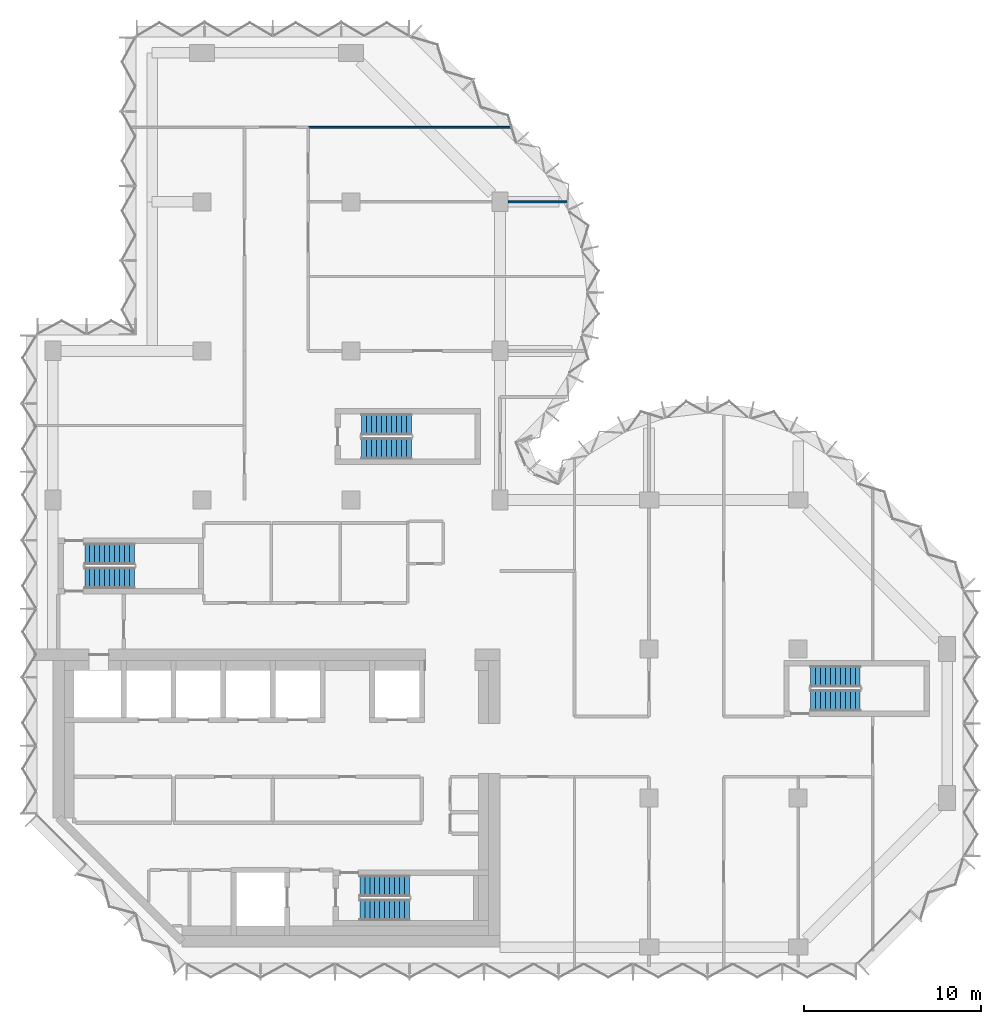
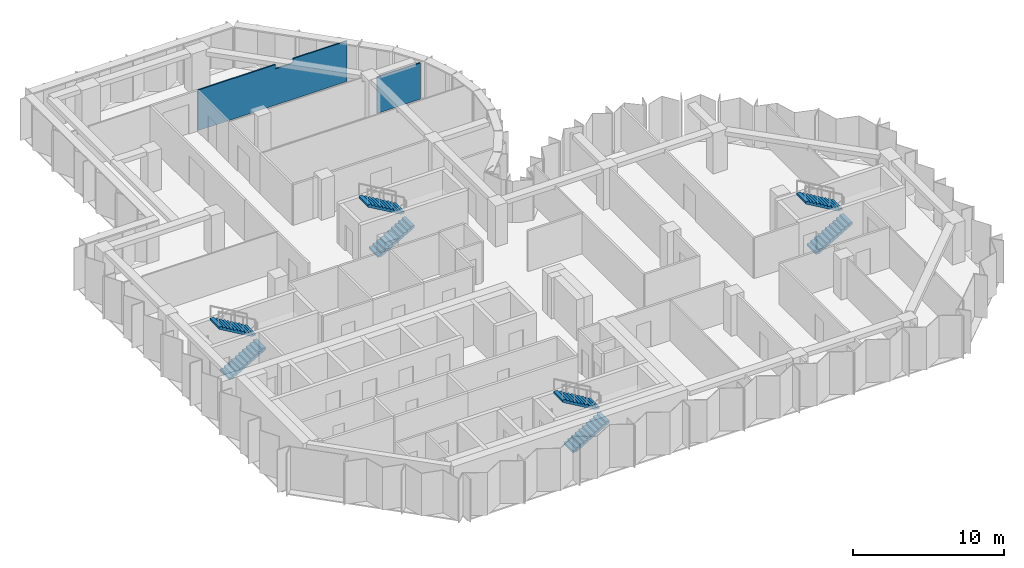
# One storey, part 8 of 10: 8 stair flights, 2 walls, 4 elements without a shape of their own.
"""IFC4 building model written with IfcOpenShell, lengths in metres."""

import ifcopenshell
import ifcopenshell.guid

model = None  # the IFC model being written
_history = None  # IfcOwnerHistory: only IFC2X3 demands one
_inside = {}  # id of a spatial element -> (the spatial element, [elements in it])
_under = {}  # id of a project, library or spatial element -> (it, [spatial elements below it])
_declared = {}  # id of a project -> (the project, [libraries it declares])
_typed = {}  # id of a type object -> (the type object, [elements of that type])
_made_of = {}  # id of a material, layer set ... -> (it, [elements and type objects made of it])


def new_model(schema):
    """Start an empty IFC model of exactly this schema.

    Asked for "IFC4X3", IfcOpenShell would pick the latest addendum, in which some entities
    have other attributes; the version numbers below select the first issue.
    IFC2X3 requires an IfcOwnerHistory on every rooted entity: one is made here for all.
    """
    global model, _history
    if schema == "IFC4X3":
        model = ifcopenshell.file(schema_version=(4, 3, 0, 0))
    else:
        model = ifcopenshell.file(schema=schema)
    _inside.clear()
    _under.clear()
    _declared.clear()
    _typed.clear()
    _made_of.clear()
    _history = None
    if model.schema == "IFC2X3":
        org = make("IfcOrganization", Name="unknown")
        user = make(
            "IfcPersonAndOrganization",
            ThePerson=make("IfcPerson", FamilyName="unknown"),
            TheOrganization=org,
        )
        app = make(
            "IfcApplication",
            ApplicationDeveloper=org,
            Version="unknown",
            ApplicationFullName="unknown",
            ApplicationIdentifier="unknown",
        )
        _history = make(
            "IfcOwnerHistory",
            OwningUser=user,
            OwningApplication=app,
            ChangeAction="ADDED",
            CreationDate=0,
        )
    return model


def make(cls, **values):
    """One entity of the class cls with the attributes given. An attribute that is None is left unset."""
    return model.create_entity(
        cls, **{name: value for name, value in values.items() if value is not None}
    )


def rooted(cls, **values):
    """An entity with a GlobalId (a new one), such as an element, a storey or a relation."""
    return make(cls, GlobalId=ifcopenshell.guid.new(), OwnerHistory=_history, **values)


def si_unit(unit_type, name, prefix=None):
    """IfcSIUnit, for example si_unit("LENGTHUNIT", "METRE", prefix="MILLI")."""
    return make("IfcSIUnit", UnitType=unit_type, Prefix=prefix, Name=name)


def assignment(units):
    """IfcUnitAssignment: the units of a project."""
    return None if units is None else make("IfcUnitAssignment", Units=units)


def point(xyz):
    """IfcCartesianPoint."""
    return None if xyz is None else make("IfcCartesianPoint", Coordinates=xyz)


def direction(xyz):
    """IfcDirection."""
    return None if xyz is None else make("IfcDirection", DirectionRatios=xyz)


def frame(location, z_axis=None, x_axis=None):
    """IfcAxis2Placement3D, a coordinate frame: its origin and axes. An axis left out is left unset."""
    return make(
        "IfcAxis2Placement3D",
        Location=point(location),
        Axis=direction(z_axis),
        RefDirection=direction(x_axis),
    )


def frame_2d(location, x_axis=None):
    """IfcAxis2Placement2D, a coordinate frame in the plane: its origin and x axis."""
    return make(
        "IfcAxis2Placement2D", Location=point(location), RefDirection=direction(x_axis)
    )


def origin():
    """The frame at (0, 0, 0) with its axes left unset."""
    return frame((0.0, 0.0, 0.0))


def place(relative_to, where):
    """IfcLocalPlacement: puts the frame where relative to a parent placement (None: the world)."""
    return make(
        "IfcLocalPlacement", PlacementRelTo=relative_to, RelativePlacement=where
    )


def context(
    kind, dimensions, precision=None, world=None, true_north=None, identifier=None
):
    """IfcGeometricRepresentationContext, for example the 3D "Model" context."""
    return make(
        "IfcGeometricRepresentationContext",
        ContextIdentifier=identifier,
        ContextType=kind,
        CoordinateSpaceDimension=dimensions,
        Precision=precision,
        WorldCoordinateSystem=world,
        TrueNorth=true_north,
    )


def subcontext(parent, identifier, kind, view, scale=None):
    """IfcGeometricRepresentationSubContext, for example "Body" below "Model"."""
    return make(
        "IfcGeometricRepresentationSubContext",
        ContextIdentifier=identifier,
        ContextType=kind,
        ParentContext=parent,
        TargetScale=scale,
        TargetView=view,
    )


def project(units=None, contexts=None):
    """IfcProject with its units and contexts."""
    return rooted(
        "IfcProject",
        Name="project",
        RepresentationContexts=contexts,
        UnitsInContext=assignment(units),
    )


def spatial(cls, under=None, at=None, **own):
    """A site, building, storey or space (cls), placed at a placement, below another one or the project."""
    s = rooted(cls, ObjectPlacement=at, **own)
    if under is not None:
        _under.setdefault(under.id(), (under, []))[1].append(s)
    return s


def polyline(points):
    """IfcPolyline through the points."""
    return make("IfcPolyline", Points=[point(p) for p in points])


def profile(cls, at=None, kind="AREA", **sizes):
    """A parametric profile (cls). Its sizes go by their IFC names, for example OverallWidth=200.0."""
    return make(cls, ProfileType=kind, Position=at, **sizes)


def rectangle(**sizes):
    """IfcRectangleProfileDef."""
    return profile("IfcRectangleProfileDef", **sizes)


def outline(outer, holes=None, kind="AREA"):
    """IfcArbitraryClosedProfileDef: a profile drawn as a closed curve; with holes, ...WithVoids."""
    if holes is None:
        return make("IfcArbitraryClosedProfileDef", ProfileType=kind, OuterCurve=outer)
    return make(
        "IfcArbitraryProfileDefWithVoids",
        ProfileType=kind,
        OuterCurve=outer,
        InnerCurves=holes,
    )


def extrude(swept, where, along, depth):
    """IfcExtrudedAreaSolid: the profile swept, set in the frame where, extruded along a direction by depth."""
    return make(
        "IfcExtrudedAreaSolid",
        SweptArea=swept,
        Position=where,
        ExtrudedDirection=direction(along),
        Depth=depth,
    )


def shape(context_of_items, identifier, shape_type, items):
    """IfcShapeRepresentation: the items that make up one representation, for example the "Body"."""
    return make(
        "IfcShapeRepresentation",
        ContextOfItems=context_of_items,
        RepresentationIdentifier=identifier,
        RepresentationType=shape_type,
        Items=items,
    )


def material(Name=None, Category=None):
    """IfcMaterial."""
    return make("IfcMaterial", Name=Name, Category=Category)


def layer(
    of_material, thickness, ventilated=None, Name=None, Category=None, Priority=None
):
    """IfcMaterialLayer: one layer of a wall or slab, of a material (None: an air gap)."""
    return make(
        "IfcMaterialLayer",
        Material=of_material,
        LayerThickness=thickness,
        IsVentilated=ventilated,
        Name=Name,
        Category=Category,
        Priority=Priority,
    )


def layer_set(layers, Name=None):
    """IfcMaterialLayerSet."""
    return make("IfcMaterialLayerSet", MaterialLayers=layers, LayerSetName=Name)


def made_of(thing, what):
    """Note that an element or type object is made of a material, layer set ...; save() writes the relation."""
    if what is not None:
        _made_of.setdefault(what.id(), (what, []))[1].append(thing)
    return thing


def type_object(cls, material=None, **own):
    """A type object (cls), such as IfcWallType, which elements share."""
    return made_of(rooted(cls, **own), material)


def element(
    cls,
    number,
    at=None,
    inside=None,
    cuts=None,
    type_object=None,
    material=None,
    context=None,
    identifier="Body",
    shape_type=None,
    held_by="IfcProductDefinitionShape",
    body=None,
    shapes=None,
    **own,
):
    """One element of the class cls, such as IfcWall. Its Tag is "e" and its number.

    at: its placement. inside: the storey or other place that contains it. cuts: it is an
    opening in that element (IfcRelVoidsElement). A single representation is given by context,
    identifier, shape_type and body (its items); several are given by shapes. held_by: the class
    of the entity that holds the representations. save() writes the other relations.
    """
    e = rooted(cls, Tag="e%d" % number, ObjectPlacement=at, **own)
    if body is not None:
        shapes = [shape(context, identifier, shape_type, body)]
    if shapes is not None:
        e.Representation = make(held_by, Representations=shapes)
    if inside is not None:
        _inside.setdefault(inside.id(), (inside, []))[1].append(e)
    if cuts is not None:
        rooted(
            "IfcRelVoidsElement", RelatingBuildingElement=cuts, RelatedOpeningElement=e
        )
    if type_object is not None:
        _typed.setdefault(type_object.id(), (type_object, []))[1].append(e)
    return made_of(e, material)


def aggregate(whole, parts):
    """IfcRelAggregates: a whole, such as a stair, and the parts it consists of."""
    return rooted("IfcRelAggregates", RelatingObject=whole, RelatedObjects=parts)


def save(model, path):
    """Write the relations noted so far, then the file.

    IfcRelAggregates (storeys below a building ...), IfcRelContainedInSpatialStructure (elements
    in a storey), IfcRelDefinesByType, IfcRelAssociatesMaterial and IfcRelDeclares: one each for
    every whole, place, type object, material and project.
    """
    for whole, parts in _under.values():
        aggregate(whole, parts)
    for where, things in _inside.values():
        rooted(
            "IfcRelContainedInSpatialStructure",
            RelatedElements=things,
            RelatingStructure=where,
        )
    for kind, things in _typed.values():
        rooted("IfcRelDefinesByType", RelatedObjects=things, RelatingType=kind)
    for what, things in _made_of.values():
        rooted("IfcRelAssociatesMaterial", RelatedObjects=things, RelatingMaterial=what)
    for by, libraries in _declared.values():
        rooted("IfcRelDeclares", RelatingContext=by, RelatedDefinitions=libraries)
    model.write(path)


model = new_model("IFC4")

# Units and contexts
model_context = context("Model", 3, precision=1e-05, world=origin(), true_north=direction((0.0, 1.0)))
body_context = subcontext(model_context, "Body", "Model", "MODEL_VIEW")
ifc_project = project(units=[si_unit("LENGTHUNIT", "METRE"), si_unit("AREAUNIT", "SQUARE_METRE"), si_unit("VOLUMEUNIT", "CUBIC_METRE"), si_unit("PLANEANGLEUNIT", "RADIAN"), si_unit("MASSUNIT", "GRAM", prefix="KILO")], contexts=[model_context])

# Site, building, storey
site_placement = place(None, origin())
site = spatial("IfcSite", under=ifc_project, at=site_placement, CompositionType="ELEMENT")
building_placement = place(site_placement, origin())
building = spatial("IfcBuilding", under=site, at=building_placement, Name="Brevane Broadcast Tower", CompositionType="ELEMENT")
storey_placement = place(building_placement, frame((0.0, 0.0, 202.800048828125)))
storey = spatial("IfcBuildingStorey", under=building, at=storey_placement, Name="L51", CompositionType="ELEMENT", Elevation=202.800048828125)

# Walls
ifc_material_1 = material(Name="Gypsum board partition")
ifc_layer = layer(ifc_material_1, 0.10009765625)
ifc_layer_set = layer_set([ifc_layer], Name="PARTITION 100 STUD")
wall_type = type_object("IfcWallType", Name="PARTITION 100 STUD", PredefinedType="PARTITIONING", material=ifc_layer_set)
wall_1_placement = place(storey_placement, frame((25.805419921875, 46.199951171875, 0.0), z_axis=(0.0, 0.0, 1.0), x_axis=(-1.0, 0.0, 0.0)))
element("IfcWall", 1, at=wall_1_placement, inside=storey, type_object=wall_type, Name="Partition G15-039", PredefinedType="PARTITIONING", context=body_context, shape_type="SweptSolid", body=[
    extrude(outline(polyline([(0.0, 0.0), (11.405517578125, 0.0), (11.405517578125, 3.280029296875), (5.47119140625, 3.280029296875), (5.468994140625, 2.929931640625), (4.1416015625, 2.929931640625), (4.1396484375, 3.280029296875), (0.405517578125, 3.280029296875), (0.0, 3.280029296875), (0.0, 0.0)])), frame((0.0, 0.050048828125, 0.0), z_axis=(0.0, -1.0, 0.0), x_axis=(1.0, 0.0, 0.0)), (0.0, 0.0, 1.0), 0.10009765625),
])
wall_2_placement = place(storey_placement, frame((25.669921875, 42.0, 0.0), z_axis=(0.0, 0.0, 1.0), x_axis=(1.0, 0.0, 0.0)))
element("IfcWall", 2, at=wall_2_placement, inside=storey, type_object=wall_type, Name="Partition G15-044", PredefinedType="PARTITIONING", context=body_context, shape_type="SweptSolid", body=[
    extrude(rectangle(XDim=3.341552734375, YDim=0.10009765625, at=frame_2d((1.6708984375, 0.0))), origin(), (0.0, 0.0, 1.0), 2.929931640625),
])

# Stair, stair flights
ifc_material_2 = material(Name="Concrete C50/60", Category="concrete")
stair_type = type_object("IfcStairType", Name="Exit stair 22 risers", PredefinedType="HALF_TURN_STAIR", material=ifc_material_2)
stair_1_placement = place(storey_placement, origin())
stair_1 = element("IfcStair", 3, at=stair_1_placement, inside=storey, type_object=stair_type, Name="L51 Exit stair ST-1", PredefinedType="HALF_TURN_STAIR")
stair_flight_type = type_object("IfcStairFlightType", Name="Exit stair flight 22 risers", PredefinedType="STRAIGHT", material=ifc_material_2)
stair_flight_1_placement = place(storey_placement, frame((1.800048828125, 20.800048828125, 0.0), z_axis=(0.0, 0.0, 1.0), x_axis=(1.0, 0.0, 0.0)))
stair_flight_1 = element("IfcStairFlight", 4, at=stair_flight_1_placement, type_object=stair_flight_type, Name="ST-1 flight 1", NumberOfRisers=11, NumberOfTreads=10, PredefinedType="STRAIGHT", RiserHeight=0.163636364, TreadLength=0.28, context=body_context, shape_type="SweptSolid", body=[
    extrude(outline(polyline([(0.0, 0.0), (0.0, 0.16357421875), (0.280029296875, 0.16357421875), (0.280029296875, 0.327392578125), (0.56005859375, 0.327392578125), (0.56005859375, 0.490966796875), (0.840087890625, 0.490966796875), (0.840087890625, 0.654541015625), (1.1201171875, 0.654541015625), (1.1201171875, 0.818115234375), (1.39990234375, 0.818115234375), (1.39990234375, 0.98193359375), (1.679931640625, 0.98193359375), (1.679931640625, 1.1455078125), (1.9599609375, 1.1455078125), (1.9599609375, 1.30908203125), (2.239990234375, 1.30908203125), (2.239990234375, 1.47265625), (2.52001953125, 1.47265625), (2.52001953125, 1.636474609375), (2.800048828125, 1.636474609375), (2.800048828125, 1.800048828125), (2.800048828125, 1.462646484375), (0.297119140625, 0.0), (0.0, 0.0)])), frame((0.0, 0.60009765625, 0.0), z_axis=(0.0, -1.0, 0.0), x_axis=(1.0, 0.0, 0.0)), (0.0, 0.0, 1.0), 1.199951171875),
])
stair_flight_2_placement = place(storey_placement, frame((4.60009765625, 22.14990234375, 1.800048828125), z_axis=(0.0, 0.0, 1.0), x_axis=(-1.0, 0.0, 0.0)))
stair_flight_2 = element("IfcStairFlight", 5, at=stair_flight_2_placement, type_object=stair_flight_type, Name="ST-1 flight 2", NumberOfRisers=11, NumberOfTreads=10, PredefinedType="STRAIGHT", RiserHeight=0.163636364, TreadLength=0.28, context=body_context, shape_type="SweptSolid", body=[
    extrude(outline(polyline([(0.0, 0.0), (0.0, 0.16357421875), (0.280029296875, 0.16357421875), (0.280029296875, 0.327392578125), (0.56005859375, 0.327392578125), (0.56005859375, 0.490966796875), (0.840087890625, 0.490966796875), (0.840087890625, 0.654541015625), (1.1201171875, 0.654541015625), (1.1201171875, 0.818115234375), (1.39990234375, 0.818115234375), (1.39990234375, 0.98193359375), (1.679931640625, 0.98193359375), (1.679931640625, 1.1455078125), (1.9599609375, 1.1455078125), (1.9599609375, 1.30908203125), (2.239990234375, 1.30908203125), (2.239990234375, 1.47265625), (2.52001953125, 1.47265625), (2.52001953125, 1.636474609375), (2.800048828125, 1.636474609375), (2.800048828125, 1.800048828125), (2.800048828125, 1.462646484375), (0.297119140625, 0.0), (0.0, 0.0)])), frame((0.0, 0.60009765625, 0.0), z_axis=(0.0, -1.0, 0.0), x_axis=(1.0, 0.0, 0.0)), (0.0, 0.0, 1.0), 1.199951171875),
])
aggregate(stair_1, [stair_flight_1, stair_flight_2])

stair_2_placement = place(storey_placement, origin())
stair_2 = element("IfcStair", 6, at=stair_2_placement, inside=storey, type_object=stair_type, Name="L51 Exit stair ST-2", PredefinedType="HALF_TURN_STAIR")
stair_flight_3_placement = place(storey_placement, frame((17.300048828125, 2.10009765625, 0.0), z_axis=(0.0, 0.0, 1.0), x_axis=(1.0, 0.0, 0.0)))
stair_flight_3 = element("IfcStairFlight", 7, at=stair_flight_3_placement, type_object=stair_flight_type, Name="ST-2 flight 1", NumberOfRisers=11, NumberOfTreads=10, PredefinedType="STRAIGHT", RiserHeight=0.163636364, TreadLength=0.28, context=body_context, shape_type="SweptSolid", body=[
    extrude(outline(polyline([(0.0, 0.0), (0.0, 0.16357421875), (0.280029296875, 0.16357421875), (0.280029296875, 0.327392578125), (0.56005859375, 0.327392578125), (0.56005859375, 0.490966796875), (0.840087890625, 0.490966796875), (0.840087890625, 0.654541015625), (1.1201171875, 0.654541015625), (1.1201171875, 0.818115234375), (1.39990234375, 0.818115234375), (1.39990234375, 0.98193359375), (1.679931640625, 0.98193359375), (1.679931640625, 1.1455078125), (1.9599609375, 1.1455078125), (1.9599609375, 1.30908203125), (2.239990234375, 1.30908203125), (2.239990234375, 1.47265625), (2.52001953125, 1.47265625), (2.52001953125, 1.636474609375), (2.800048828125, 1.636474609375), (2.800048828125, 1.800048828125), (2.800048828125, 1.462646484375), (0.297119140625, 0.0), (0.0, 0.0)])), frame((0.0, 0.60009765625, 0.0), z_axis=(0.0, -1.0, 0.0), x_axis=(1.0, 0.0, 0.0)), (0.0, 0.0, 1.0), 1.199951171875),
])
stair_flight_4_placement = place(storey_placement, frame((20.10009765625, 3.449951171875, 1.800048828125), z_axis=(0.0, 0.0, 1.0), x_axis=(-1.0, 0.0, 0.0)))
stair_flight_4 = element("IfcStairFlight", 8, at=stair_flight_4_placement, type_object=stair_flight_type, Name="ST-2 flight 2", NumberOfRisers=11, NumberOfTreads=10, PredefinedType="STRAIGHT", RiserHeight=0.163636364, TreadLength=0.28, context=body_context, shape_type="SweptSolid", body=[
    extrude(outline(polyline([(0.0, 0.0), (0.0, 0.16357421875), (0.280029296875, 0.16357421875), (0.280029296875, 0.327392578125), (0.56005859375, 0.327392578125), (0.56005859375, 0.490966796875), (0.840087890625, 0.490966796875), (0.840087890625, 0.654541015625), (1.1201171875, 0.654541015625), (1.1201171875, 0.818115234375), (1.39990234375, 0.818115234375), (1.39990234375, 0.98193359375), (1.679931640625, 0.98193359375), (1.679931640625, 1.1455078125), (1.9599609375, 1.1455078125), (1.9599609375, 1.30908203125), (2.239990234375, 1.30908203125), (2.239990234375, 1.47265625), (2.52001953125, 1.47265625), (2.52001953125, 1.636474609375), (2.800048828125, 1.636474609375), (2.800048828125, 1.800048828125), (2.800048828125, 1.462646484375), (0.297119140625, 0.0), (0.0, 0.0)])), frame((0.0, 0.60009765625, 0.0), z_axis=(0.0, -1.0, 0.0), x_axis=(1.0, 0.0, 0.0)), (0.0, 0.0, 1.0), 1.199951171875),
])
aggregate(stair_2, [stair_flight_3, stair_flight_4])

stair_3_placement = place(storey_placement, origin())
stair_3 = element("IfcStair", 9, at=stair_3_placement, inside=storey, type_object=stair_type, Name="L51 Exit stair ST-3", PredefinedType="HALF_TURN_STAIR")
stair_flight_5_placement = place(storey_placement, frame((17.39990234375, 28.10009765625, 0.0), z_axis=(0.0, 0.0, 1.0), x_axis=(1.0, 0.0, 0.0)))
stair_flight_5 = element("IfcStairFlight", 10, at=stair_flight_5_placement, type_object=stair_flight_type, Name="ST-3 flight 1", NumberOfRisers=11, NumberOfTreads=10, PredefinedType="STRAIGHT", RiserHeight=0.163636364, TreadLength=0.28, context=body_context, shape_type="SweptSolid", body=[
    extrude(outline(polyline([(0.0, 0.0), (0.0, 0.16357421875), (0.280029296875, 0.16357421875), (0.280029296875, 0.327392578125), (0.56005859375, 0.327392578125), (0.56005859375, 0.490966796875), (0.840087890625, 0.490966796875), (0.840087890625, 0.654541015625), (1.1201171875, 0.654541015625), (1.1201171875, 0.818115234375), (1.39990234375, 0.818115234375), (1.39990234375, 0.98193359375), (1.679931640625, 0.98193359375), (1.679931640625, 1.1455078125), (1.9599609375, 1.1455078125), (1.9599609375, 1.30908203125), (2.239990234375, 1.30908203125), (2.239990234375, 1.47265625), (2.52001953125, 1.47265625), (2.52001953125, 1.636474609375), (2.800048828125, 1.636474609375), (2.800048828125, 1.800048828125), (2.800048828125, 1.462646484375), (0.297119140625, 0.0), (0.0, 0.0)])), frame((0.0, 0.60009765625, 0.0), z_axis=(0.0, -1.0, 0.0), x_axis=(1.0, 0.0, 0.0)), (0.0, 0.0, 1.0), 1.199951171875),
])
stair_flight_6_placement = place(storey_placement, frame((20.199951171875, 29.449951171875, 1.800048828125), z_axis=(0.0, 0.0, 1.0), x_axis=(-1.0, 0.0, 0.0)))
stair_flight_6 = element("IfcStairFlight", 11, at=stair_flight_6_placement, type_object=stair_flight_type, Name="ST-3 flight 2", NumberOfRisers=11, NumberOfTreads=10, PredefinedType="STRAIGHT", RiserHeight=0.163636364, TreadLength=0.28, context=body_context, shape_type="SweptSolid", body=[
    extrude(outline(polyline([(0.0, 0.0), (0.0, 0.16357421875), (0.280029296875, 0.16357421875), (0.280029296875, 0.327392578125), (0.56005859375, 0.327392578125), (0.56005859375, 0.490966796875), (0.840087890625, 0.490966796875), (0.840087890625, 0.654541015625), (1.1201171875, 0.654541015625), (1.1201171875, 0.818115234375), (1.39990234375, 0.818115234375), (1.39990234375, 0.98193359375), (1.679931640625, 0.98193359375), (1.679931640625, 1.1455078125), (1.9599609375, 1.1455078125), (1.9599609375, 1.30908203125), (2.239990234375, 1.30908203125), (2.239990234375, 1.47265625), (2.52001953125, 1.47265625), (2.52001953125, 1.636474609375), (2.800048828125, 1.636474609375), (2.800048828125, 1.800048828125), (2.800048828125, 1.462646484375), (0.297119140625, 0.0), (0.0, 0.0)])), frame((0.0, 0.60009765625, 0.0), z_axis=(0.0, -1.0, 0.0), x_axis=(1.0, 0.0, 0.0)), (0.0, 0.0, 1.0), 1.199951171875),
])
aggregate(stair_3, [stair_flight_5, stair_flight_6])

stair_4_placement = place(storey_placement, origin())
stair_4 = element("IfcStair", 12, at=stair_4_placement, inside=storey, type_object=stair_type, Name="L51 Exit stair ST-4", PredefinedType="HALF_TURN_STAIR")
stair_flight_7_placement = place(storey_placement, frame((42.699951171875, 13.89990234375, 0.0), z_axis=(0.0, 0.0, 1.0), x_axis=(1.0, 0.0, 0.0)))
stair_flight_7 = element("IfcStairFlight", 13, at=stair_flight_7_placement, type_object=stair_flight_type, Name="ST-4 flight 1", NumberOfRisers=11, NumberOfTreads=10, PredefinedType="STRAIGHT", RiserHeight=0.163636364, TreadLength=0.28, context=body_context, shape_type="SweptSolid", body=[
    extrude(outline(polyline([(0.0, 0.0), (0.0, 0.16357421875), (0.280029296875, 0.16357421875), (0.280029296875, 0.327392578125), (0.56005859375, 0.327392578125), (0.56005859375, 0.490966796875), (0.840087890625, 0.490966796875), (0.840087890625, 0.654541015625), (1.1201171875, 0.654541015625), (1.1201171875, 0.818115234375), (1.39990234375, 0.818115234375), (1.39990234375, 0.98193359375), (1.679931640625, 0.98193359375), (1.679931640625, 1.1455078125), (1.9599609375, 1.1455078125), (1.9599609375, 1.30908203125), (2.239990234375, 1.30908203125), (2.239990234375, 1.47265625), (2.52001953125, 1.47265625), (2.52001953125, 1.636474609375), (2.800048828125, 1.636474609375), (2.800048828125, 1.800048828125), (2.800048828125, 1.462646484375), (0.297119140625, 0.0), (0.0, 0.0)])), frame((0.0, 0.60009765625, 0.0), z_axis=(0.0, -1.0, 0.0), x_axis=(1.0, 0.0, 0.0)), (0.0, 0.0, 1.0), 1.199951171875),
])
stair_flight_8_placement = place(storey_placement, frame((45.5, 15.25, 1.800048828125), z_axis=(0.0, 0.0, 1.0), x_axis=(-1.0, 0.0, 0.0)))
stair_flight_8 = element("IfcStairFlight", 14, at=stair_flight_8_placement, type_object=stair_flight_type, Name="ST-4 flight 2", NumberOfRisers=11, NumberOfTreads=10, PredefinedType="STRAIGHT", RiserHeight=0.163636364, TreadLength=0.28, context=body_context, shape_type="SweptSolid", body=[
    extrude(outline(polyline([(0.0, 0.0), (0.0, 0.16357421875), (0.280029296875, 0.16357421875), (0.280029296875, 0.327392578125), (0.56005859375, 0.327392578125), (0.56005859375, 0.490966796875), (0.840087890625, 0.490966796875), (0.840087890625, 0.654541015625), (1.1201171875, 0.654541015625), (1.1201171875, 0.818115234375), (1.39990234375, 0.818115234375), (1.39990234375, 0.98193359375), (1.679931640625, 0.98193359375), (1.679931640625, 1.1455078125), (1.9599609375, 1.1455078125), (1.9599609375, 1.30908203125), (2.239990234375, 1.30908203125), (2.239990234375, 1.47265625), (2.52001953125, 1.47265625), (2.52001953125, 1.636474609375), (2.800048828125, 1.636474609375), (2.800048828125, 1.800048828125), (2.800048828125, 1.462646484375), (0.297119140625, 0.0), (0.0, 0.0)])), frame((0.0, 0.60009765625, 0.0), z_axis=(0.0, -1.0, 0.0), x_axis=(1.0, 0.0, 0.0)), (0.0, 0.0, 1.0), 1.199951171875),
])
aggregate(stair_4, [stair_flight_7, stair_flight_8])

save(model, "model.ifc")
